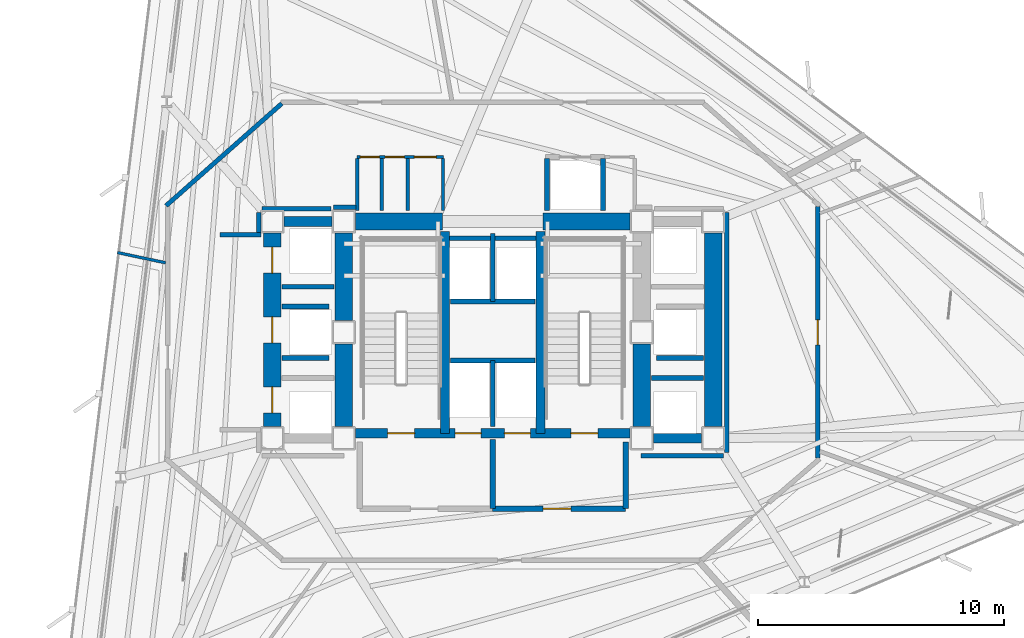
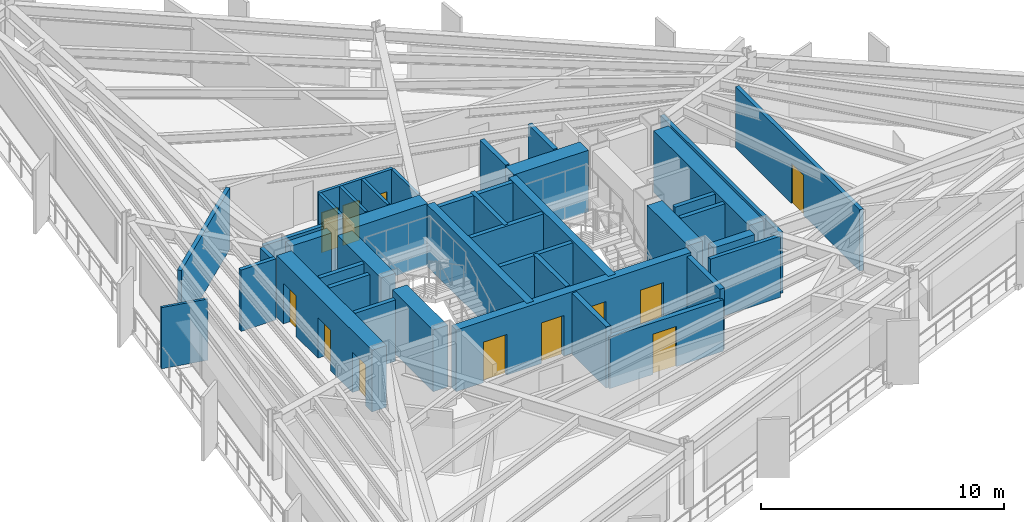
# One storey, part 7 of 13: 41 walls, 12 doors, 12 openings.
"""IFC4 building model written with IfcOpenShell, lengths in metres."""

from ifc_helpers import new_model, si_unit, direction, frame, frame_2d, origin, place, context, subcontext, project, spatial, rectangle, extrude, material, layer, layer_set, type_object, element, fill, save


model = new_model("IFC4")

# Units and contexts
model_context = context("Model", 3, precision=1e-05, world=origin(), true_north=direction((0.0, 1.0)))
body_context = subcontext(model_context, "Body", "Model", "MODEL_VIEW")
ifc_project = project(units=[si_unit("LENGTHUNIT", "METRE"), si_unit("AREAUNIT", "SQUARE_METRE"), si_unit("VOLUMEUNIT", "CUBIC_METRE"), si_unit("PLANEANGLEUNIT", "RADIAN"), si_unit("MASSUNIT", "GRAM", prefix="KILO")], contexts=[model_context])

# Site, building, storey
site_placement = place(None, origin())
site = spatial("IfcSite", under=ifc_project, at=site_placement, CompositionType="ELEMENT")
building_placement = place(site_placement, origin())
building = spatial("IfcBuilding", under=site, at=building_placement, Name="Rocaltana Carrier Exchange", CompositionType="ELEMENT")
storey_placement = place(building_placement, frame((0.0, 0.0, 69.760009765625)))
storey = spatial("IfcBuildingStorey", under=building, at=storey_placement, Name="L21", CompositionType="ELEMENT", Elevation=69.760009765625)

# Walls
ifc_material_1 = material(Name="Concrete C50/60", Category="concrete")
ifc_layer_1 = layer(ifc_material_1, 0.35009765625)
ifc_layer_set_1 = layer_set([ifc_layer_1], Name="Concrete C50/60")
wall_type_1 = type_object("IfcWallType", Name="Core Internal Shear Wall 350", PredefinedType="SHEAR", material=ifc_layer_set_1)
for number, where, z_axis, x_axis, name in (
    (1, (-1.93994140625, -4.10009765625, 0.0), (0.0, 0.0, 1.0), (0.0, 1.0, 0.0), "L21 Core Shear Wall CW-STW"),
    (2, (1.93994140625, -4.10009765625, 0.0), (0.0, 0.0, 1.0), (0.0, 1.0, 0.0), "L21 Core Shear Wall CW-STE"),
):
    element("IfcWall", number, at=place(storey_placement, frame(where, z_axis=z_axis, x_axis=x_axis)), inside=storey, type_object=wall_type_1, Name=name, PredefinedType="SHEAR", context=body_context, shape_type="SweptSolid", body=[
        extrude(rectangle(XDim=8.2001953125, YDim=0.35009765625, at=frame_2d((4.10009765625, 0.0))), origin(), (0.0, 0.0, 1.0), 3.097900390625),
    ])

# Wall, openings, doors
ifc_material_2 = material(Name="Concrete C50/60", Category="concrete")
ifc_layer_2 = layer(ifc_material_2, 0.39990234375)
ifc_layer_set_2 = layer_set([ifc_layer_2], Name="Concrete C50/60")
wall_type_2 = type_object("IfcWallType", Name="Core Internal Shear Wall 400", PredefinedType="SHEAR", material=ifc_layer_set_2)
wall_1_placement = place(storey_placement, frame((-5.574951171875, -4.10009765625, 0.0), z_axis=(0.0, 0.0, 1.0), x_axis=(1.0, 0.0, 0.0)))
wall_1 = element("IfcWall", 3, at=wall_1_placement, inside=storey, type_object=wall_type_2, Name="L21 Core Shear Wall CW-S", PredefinedType="SHEAR", context=body_context, shape_type="SweptSolid", body=[
    extrude(rectangle(XDim=11.14990234375, YDim=0.39990234375, at=frame_2d((5.574951171875, 0.0))), origin(), (0.0, 0.0, 1.0), 3.097900390625),
])
opening_1_placement = place(wall_1_placement, frame((1.304931640625, 0.0, 0.0)))
opening_1 = element("IfcOpeningElement", 4, at=opening_1_placement, cuts=wall_1, Name="Opening D-ST110", PredefinedType="OPENING", context=body_context, shape_type="SweptSolid", body=[
    extrude(rectangle(XDim=1.10009765625, YDim=2.0400390625, at=frame_2d((0.550048828125, 1.02001953125))), frame((0.0, 0.2099609375, 0.0), z_axis=(0.0, -1.0, 0.0), x_axis=(1.0, 0.0, 0.0)), (0.0, 0.0, 1.0), 0.419921875),
])
opening_2_placement = place(wall_1_placement, frame((8.7451171875, 0.0, 0.0)))
opening_2 = element("IfcOpeningElement", 5, at=opening_2_placement, cuts=wall_1, Name="Opening D-ST110", PredefinedType="OPENING", context=body_context, shape_type="SweptSolid", body=[
    extrude(rectangle(XDim=1.10009765625, YDim=2.0400390625, at=frame_2d((0.550048828125, 1.02001953125))), frame((0.0, 0.2099609375, 0.0), z_axis=(0.0, -1.0, 0.0), x_axis=(1.0, 0.0, 0.0)), (0.0, 0.0, 1.0), 0.419921875),
])
opening_3_placement = place(wall_1_placement, frame((4.044921875, 0.0, 0.0)))
opening_3 = element("IfcOpeningElement", 6, at=opening_3_placement, cuts=wall_1, Name="Opening LD-110", PredefinedType="OPENING", context=body_context, shape_type="SweptSolid", body=[
    extrude(rectangle(XDim=1.06005859375, YDim=2.0400390625, at=frame_2d((0.530029296875, 1.02001953125))), frame((0.0, 0.2099609375, 0.0), z_axis=(0.0, -1.0, 0.0), x_axis=(1.0, 0.0, 0.0)), (0.0, 0.0, 1.0), 0.419921875),
])
opening_4_placement = place(wall_1_placement, frame((6.044921875, 0.0, 0.0)))
opening_4 = element("IfcOpeningElement", 7, at=opening_4_placement, cuts=wall_1, Name="Opening LD-110", PredefinedType="OPENING", context=body_context, shape_type="SweptSolid", body=[
    extrude(rectangle(XDim=1.06005859375, YDim=2.0400390625, at=frame_2d((0.530029296875, 1.02001953125))), frame((0.0, 0.2099609375, 0.0), z_axis=(0.0, -1.0, 0.0), x_axis=(1.0, 0.0, 0.0)), (0.0, 0.0, 1.0), 0.419921875),
])
ifc_material_3 = material(Name="Hollow Metal Fire Door Assembly", Category="steel")
door_type_1 = type_object("IfcDoorType", Name="Exit Stair Fire Door 1100x2040 FD90S", OperationType="NOTDEFINED", PredefinedType="DOOR", material=ifc_material_3)
door_1_placement = place(opening_1_placement, origin())
door_1 = element("IfcDoor", 8, at=door_1_placement, inside=storey, type_object=door_type_1, Name="L21 Exit Stair ST1 Fire Door", OperationType="SINGLE_SWING_RIGHT", OverallHeight=2.0400390625, OverallWidth=1.10009765625, PredefinedType="DOOR", context=body_context, shape_type="SweptSolid", body=[
    extrude(rectangle(XDim=1.10009765625, YDim=2.0400390625, at=frame_2d((0.550048828125, 1.02001953125))), frame((0.0, 0.02490234375, 0.0), z_axis=(0.0, -1.0, 0.0), x_axis=(1.0, 0.0, 0.0)), (0.0, 0.0, 1.0), 0.050048828125),
])
fill(opening_1, door_1)
door_2_placement = place(opening_2_placement, origin())
door_2 = element("IfcDoor", 9, at=door_2_placement, inside=storey, type_object=door_type_1, Name="L21 Exit Stair ST2 Fire Door", OperationType="SINGLE_SWING_LEFT", OverallHeight=2.0400390625, OverallWidth=1.10009765625, PredefinedType="DOOR", context=body_context, shape_type="SweptSolid", body=[
    extrude(rectangle(XDim=1.10009765625, YDim=2.0400390625, at=frame_2d((0.550048828125, 1.02001953125))), frame((0.0, 0.02490234375, 0.0), z_axis=(0.0, -1.0, 0.0), x_axis=(1.0, 0.0, 0.0)), (0.0, 0.0, 1.0), 0.050048828125),
])
fill(opening_2, door_2)
ifc_material_4 = material(Name="Brushed Stainless Sliding Door Leaf", Category="steel")
door_type_2 = type_object("IfcDoorType", Name="Lift Landing Sliding Door 1060x2040", OperationType="NOTDEFINED", PredefinedType="DOOR", material=ifc_material_4)
door_3_placement = place(opening_3_placement, origin())
door_3 = element("IfcDoor", 10, at=door_3_placement, inside=storey, type_object=door_type_2, Name="L21 Firefighting Lift FFL1 Landing Door", OperationType="SLIDING_TO_LEFT", OverallHeight=2.0400390625, OverallWidth=1.06005859375, PredefinedType="DOOR", context=body_context, shape_type="SweptSolid", body=[
    extrude(rectangle(XDim=1.06005859375, YDim=2.0400390625, at=frame_2d((0.530029296875, 1.02001953125))), frame((0.0, 0.02490234375, 0.0), z_axis=(0.0, -1.0, 0.0), x_axis=(1.0, 0.0, 0.0)), (0.0, 0.0, 1.0), 0.050048828125),
])
fill(opening_3, door_3)
door_4_placement = place(opening_4_placement, origin())
door_4 = element("IfcDoor", 11, at=door_4_placement, inside=storey, type_object=door_type_2, Name="L21 Firefighting Lift FFL2 Landing Door", OperationType="SLIDING_TO_RIGHT", OverallHeight=2.0400390625, OverallWidth=1.06005859375, PredefinedType="DOOR", context=body_context, shape_type="SweptSolid", body=[
    extrude(rectangle(XDim=1.06005859375, YDim=2.0400390625, at=frame_2d((0.530029296875, 1.02001953125))), frame((0.0, 0.02490234375, 0.0), z_axis=(0.0, -1.0, 0.0), x_axis=(1.0, 0.0, 0.0)), (0.0, 0.0, 1.0), 0.050048828125),
])
fill(opening_4, door_4)

# Walls
for number, where, z_axis, x_axis, name in (
    (12, (-8.47509765625, 4.5, 0.0), (0.0, 0.0, 1.0), (1.0, 0.0, 0.0), "L21 Core Shear Wall CW-WWN"),
    (13, (6.52490234375, -4.300048828125, 0.0), (0.0, 0.0, 1.0), (1.0, 0.0, 0.0), "L21 Core Shear Wall CW-EWS"),
):
    element("IfcWall", number, at=place(storey_placement, frame(where, z_axis=z_axis, x_axis=x_axis)), inside=storey, type_object=wall_type_2, Name=name, PredefinedType="SHEAR", context=body_context, shape_type="SweptSolid", body=[
        extrude(rectangle(XDim=1.9501953125, YDim=0.39990234375, at=frame_2d((0.97509765625, 0.0))), origin(), (0.0, 0.0, 1.0), 3.097900390625),
    ])
ifc_material_5 = material(Name="Concrete C60/75", Category="concrete")
ifc_layer_3 = layer(ifc_material_5, 0.699951171875)
ifc_layer_set_3 = layer_set([ifc_layer_3], Name="Concrete C60/75")
wall_type_3 = type_object("IfcWallType", Name="Core Shear Wall 700", PredefinedType="SHEAR", material=ifc_layer_set_3)
wall_2_placement = place(storey_placement, frame((-6.050048828125, 0.47509765625, 0.0), z_axis=(0.0, 0.0, 1.0), x_axis=(0.0, 1.0, 0.0)))
element("IfcWall", 14, at=wall_2_placement, inside=storey, type_object=wall_type_3, Name="L21 Core Shear Wall CW-WN", PredefinedType="SHEAR", context=body_context, shape_type="SweptSolid", body=[
    extrude(rectangle(XDim=3.5498046875, YDim=0.699951171875, at=frame_2d((1.77490234375, 0.0))), origin(), (0.0, 0.0, 1.0), 3.097900390625),
])
for number, where, z_axis, x_axis, name in (
    (15, (-6.050048828125, -3.824951171875, 0.0), (0.0, 0.0, 1.0), (0.0, 1.0, 0.0), "L21 Core Shear Wall CW-WS"),
    (16, (6.050048828125, -3.824951171875, 0.0), (0.0, 0.0, 1.0), (0.0, 1.0, 0.0), "L21 Core Shear Wall CW-ES"),
):
    element("IfcWall", number, at=place(storey_placement, frame(where, z_axis=z_axis, x_axis=x_axis)), inside=storey, type_object=wall_type_3, Name=name, PredefinedType="SHEAR", context=body_context, shape_type="SweptSolid", body=[
        extrude(rectangle(XDim=3.349853515625, YDim=0.699951171875, at=frame_2d((1.6748046875, 0.0))), origin(), (0.0, 0.0, 1.0), 3.097900390625),
    ])
for number, where, z_axis, x_axis, name in (
    (17, (-5.574951171875, 4.5, 0.0), (0.0, 0.0, 1.0), (1.0, 0.0, 0.0), "L21 Core Shear Wall CW-N1"),
    (18, (2.050048828125, 4.5, 0.0), (0.0, 0.0, 1.0), (1.0, 0.0, 0.0), "L21 Core Shear Wall CW-N2"),
):
    element("IfcWall", number, at=place(storey_placement, frame(where, z_axis=z_axis, x_axis=x_axis)), inside=storey, type_object=wall_type_3, Name=name, PredefinedType="SHEAR", context=body_context, shape_type="SweptSolid", body=[
        extrude(rectangle(XDim=3.52490234375, YDim=0.699951171875, at=frame_2d((1.762451171875, 0.0))), origin(), (0.0, 0.0, 1.0), 3.097900390625),
    ])

# Wall, openings, doors
wall_3_placement = place(storey_placement, frame((-8.949951171875, -3.824951171875, 0.0), z_axis=(0.0, 0.0, 1.0), x_axis=(0.0, 1.0, 0.0)))
wall_3 = element("IfcWall", 19, at=wall_3_placement, inside=storey, type_object=wall_type_3, Name="L21 Core Shear Wall CW-WW", PredefinedType="SHEAR", context=body_context, shape_type="SweptSolid", body=[
    extrude(rectangle(XDim=7.849853515625, YDim=0.699951171875, at=frame_2d((3.9248046875, 0.0))), origin(), (0.0, 0.0, 1.0), 3.097900390625),
])
opening_5_placement = place(wall_3_placement, frame((0.550048828125, 0.0, 0.0)))
opening_5 = element("IfcOpeningElement", 20, at=opening_5_placement, cuts=wall_3, Name="Opening LD-110", PredefinedType="OPENING", context=body_context, shape_type="SweptSolid", body=[
    extrude(rectangle(XDim=1.06005859375, YDim=2.0400390625, at=frame_2d((0.530029296875, 1.02001953125))), frame((0.0, 0.35986328125, 0.0), z_axis=(0.0, -1.0, 0.0), x_axis=(1.0, 0.0, 0.0)), (0.0, 0.0, 1.0), 0.719970703125),
])
opening_6_placement = place(wall_3_placement, frame((3.39501953125, 0.0, 0.0)))
opening_6 = element("IfcOpeningElement", 21, at=opening_6_placement, cuts=wall_3, Name="Opening LD-110", PredefinedType="OPENING", context=body_context, shape_type="SweptSolid", body=[
    extrude(rectangle(XDim=1.06005859375, YDim=2.0400390625, at=frame_2d((0.530029296875, 1.02001953125))), frame((0.0, 0.35986328125, 0.0), z_axis=(0.0, -1.0, 0.0), x_axis=(1.0, 0.0, 0.0)), (0.0, 0.0, 1.0), 0.719970703125),
])
opening_7_placement = place(wall_3_placement, frame((6.22998046875, 0.0, 0.0)))
opening_7 = element("IfcOpeningElement", 22, at=opening_7_placement, cuts=wall_3, Name="Opening LD-110", PredefinedType="OPENING", context=body_context, shape_type="SweptSolid", body=[
    extrude(rectangle(XDim=1.06005859375, YDim=2.0400390625, at=frame_2d((0.530029296875, 1.02001953125))), frame((0.0, 0.35986328125, 0.0), z_axis=(0.0, -1.0, 0.0), x_axis=(1.0, 0.0, 0.0)), (0.0, 0.0, 1.0), 0.719970703125),
])
door_5_placement = place(opening_5_placement, origin())
door_5 = element("IfcDoor", 23, at=door_5_placement, inside=storey, type_object=door_type_2, Name="L21 Low-Rise Lift PL-L1 Landing Door", OperationType="SLIDING_TO_LEFT", OverallHeight=2.0400390625, OverallWidth=1.06005859375, PredefinedType="DOOR", context=body_context, shape_type="SweptSolid", body=[
    extrude(rectangle(XDim=1.06005859375, YDim=2.0400390625, at=frame_2d((0.530029296875, 1.02001953125))), frame((0.0, 0.02490234375, 0.0), z_axis=(0.0, -1.0, 0.0), x_axis=(1.0, 0.0, 0.0)), (0.0, 0.0, 1.0), 0.050048828125),
])
fill(opening_5, door_5)
door_6_placement = place(opening_6_placement, origin())
door_6 = element("IfcDoor", 24, at=door_6_placement, inside=storey, type_object=door_type_2, Name="L21 Low-Rise Lift PL-L2 Landing Door", OperationType="SLIDING_TO_RIGHT", OverallHeight=2.0400390625, OverallWidth=1.06005859375, PredefinedType="DOOR", context=body_context, shape_type="SweptSolid", body=[
    extrude(rectangle(XDim=1.06005859375, YDim=2.0400390625, at=frame_2d((0.530029296875, 1.02001953125))), frame((0.0, 0.02490234375, 0.0), z_axis=(0.0, -1.0, 0.0), x_axis=(1.0, 0.0, 0.0)), (0.0, 0.0, 1.0), 0.050048828125),
])
fill(opening_6, door_6)
door_7_placement = place(opening_7_placement, origin())
door_7 = element("IfcDoor", 25, at=door_7_placement, inside=storey, type_object=door_type_2, Name="L21 Low-Rise Lift PL-L3 Landing Door", OperationType="SLIDING_TO_LEFT", OverallHeight=2.0400390625, OverallWidth=1.06005859375, PredefinedType="DOOR", context=body_context, shape_type="SweptSolid", body=[
    extrude(rectangle(XDim=1.06005859375, YDim=2.0400390625, at=frame_2d((0.530029296875, 1.02001953125))), frame((0.0, 0.02490234375, 0.0), z_axis=(0.0, -1.0, 0.0), x_axis=(1.0, 0.0, 0.0)), (0.0, 0.0, 1.0), 0.050048828125),
])
fill(opening_7, door_7)

# Wall
wall_4_placement = place(storey_placement, frame((8.949951171875, -3.824951171875, 0.0), z_axis=(0.0, 0.0, 1.0), x_axis=(0.0, 1.0, 0.0)))
element("IfcWall", 26, at=wall_4_placement, inside=storey, type_object=wall_type_3, Name="L21 Core Shear Wall CW-EW", PredefinedType="SHEAR", context=body_context, shape_type="SweptSolid", body=[
    extrude(rectangle(XDim=7.849853515625, YDim=0.699951171875, at=frame_2d((3.9248046875, 0.0))), origin(), (0.0, 0.0, 1.0), 3.097900390625),
])

# Wall, opening, door
ifc_material_6 = material(Name="Gypsum & Steel Stud Partition", Category="steel")
ifc_layer_4 = layer(ifc_material_6, 0.179931640625)
ifc_layer_set_4 = layer_set([ifc_layer_4], Name="Gypsum & Steel Stud Partition")
wall_type_4 = type_object("IfcWallType", Name="Corridor Fire Partition 180 EI60", PredefinedType="PARTITIONING", material=ifc_layer_set_4)
wall_5_placement = place(storey_placement, frame((13.199951171875, 5.110107421875, 0.0), z_axis=(0.0, 0.0, 1.0), x_axis=(0.0, -1.0, 0.0)))
wall_5 = element("IfcWall", 27, at=wall_5_placement, inside=storey, type_object=wall_type_4, Name="L21 Corridor Partition 3", PredefinedType="PARTITIONING", context=body_context, shape_type="SweptSolid", body=[
    extrude(rectangle(XDim=10.22021484375, YDim=0.179931640625, at=frame_2d((5.110107421875, 0.0))), origin(), (0.0, 0.0, 1.0), 3.072998046875),
])
opening_8_placement = place(wall_5_placement, frame((4.60009765625, 0.0, 0.0)))
opening_8 = element("IfcOpeningElement", 28, at=opening_8_placement, cuts=wall_5, Name="Opening D-LB104", PredefinedType="OPENING", context=body_context, shape_type="SweptSolid", body=[
    extrude(rectangle(XDim=1.02001953125, YDim=2.02001953125, at=frame_2d((0.510009765625, 1.010009765625))), frame((0.0, 0.099853515625, 0.0), z_axis=(0.0, -1.0, 0.0), x_axis=(1.0, 0.0, 0.0)), (0.0, 0.0, 1.0), 0.199951171875),
])
ifc_material_7 = material(Name="Powder-Coated Aluminium 6063-T6", Category="aluminium")
door_type_3 = type_object("IfcDoorType", Name="Laboratory Acoustic Door 1020x2020", OperationType="NOTDEFINED", PredefinedType="DOOR", material=ifc_material_7)
door_8_placement = place(opening_8_placement, origin())
door_8 = element("IfcDoor", 29, at=door_8_placement, inside=storey, type_object=door_type_3, Name="L21 Optical Switching Laboratory Entrance Door", OperationType="SINGLE_SWING_LEFT", OverallHeight=2.02001953125, OverallWidth=1.02001953125, PredefinedType="DOOR", context=body_context, shape_type="SweptSolid", body=[
    extrude(rectangle(XDim=1.02001953125, YDim=2.02001953125, at=frame_2d((0.510009765625, 1.010009765625))), frame((0.0, 0.02490234375, 0.0), z_axis=(0.0, -1.0, 0.0), x_axis=(1.0, 0.0, 0.0)), (0.0, 0.0, 1.0), 0.050048828125),
])
fill(opening_8, door_8)

# Walls
wall_6_placement = place(storey_placement, frame((-13.267578125, 5.140380859375, 0.0), z_axis=(0.0, 0.0, 1.0), x_axis=(0.749626463267, 0.66186113768, 0.0)))
element("IfcWall", 30, at=wall_6_placement, inside=storey, type_object=wall_type_4, Name="L21 Corridor Partition 8", PredefinedType="PARTITIONING", context=body_context, shape_type="SweptSolid", body=[
    extrude(rectangle(XDim=6.27001953125, YDim=0.179931640625, at=frame_2d((3.135009765625, 0.0))), origin(), (0.0, 0.0, 1.0), 3.072998046875),
])
wall_7_placement = place(storey_placement, frame((-9.510009765625, 4.8701171875, 0.0), z_axis=(0.0, 0.0, 1.0), x_axis=(0.0, -1.0, 0.0)))
element("IfcWall", 31, at=wall_7_placement, inside=storey, type_object=wall_type_4, Name="L21 Corridor Partition 9", PredefinedType="PARTITIONING", context=body_context, shape_type="SweptSolid", body=[
    extrude(rectangle(XDim=0.820068359375, YDim=0.179931640625, at=frame_2d((0.41015625, 0.0))), origin(), (0.0, 0.0, 1.0), 3.072998046875),
])
wall_8_placement = place(storey_placement, frame((-9.419921875, 3.9599609375, 0.0), z_axis=(0.0, 0.0, 1.0), x_axis=(-1.0, 0.0, 0.0)))
element("IfcWall", 32, at=wall_8_placement, inside=storey, type_object=wall_type_4, Name="L21 Corridor Partition 10", PredefinedType="PARTITIONING", context=body_context, shape_type="SweptSolid", body=[
    extrude(rectangle(XDim=1.650146484375, YDim=0.179931640625, at=frame_2d((0.8251953125, 0.0))), origin(), (0.0, 0.0, 1.0), 3.072998046875),
])
wall_9_placement = place(storey_placement, frame((6.030029296875, -5.010009765625, 0.0), z_axis=(0.0, 0.0, 1.0), x_axis=(1.0, 0.0, 0.0)))
element("IfcWall", 33, at=wall_9_placement, inside=storey, type_object=wall_type_4, Name="L21 Corridor Partition 16", PredefinedType="PARTITIONING", context=body_context, shape_type="SweptSolid", body=[
    extrude(rectangle(XDim=3.340087890625, YDim=0.179931640625, at=frame_2d((1.669921875, 0.0))), origin(), (0.0, 0.0, 1.0), 3.072998046875),
])
wall_10_placement = place(storey_placement, frame((9.510009765625, -4.8701171875, 0.0), z_axis=(0.0, 0.0, 1.0), x_axis=(0.0, 1.0, 0.0)))
element("IfcWall", 34, at=wall_10_placement, inside=storey, type_object=wall_type_4, Name="L21 Corridor Partition 17", PredefinedType="PARTITIONING", context=body_context, shape_type="SweptSolid", body=[
    extrude(rectangle(XDim=9.740234375, YDim=0.179931640625, at=frame_2d((4.8701171875, 0.0))), origin(), (0.0, 0.0, 1.0), 3.072998046875),
])
wall_11_placement = place(storey_placement, frame((-5.550048828125, 5.080078125, 0.0), z_axis=(0.0, 0.0, 1.0), x_axis=(-1.0, 0.0, 0.0)))
element("IfcWall", 35, at=wall_11_placement, inside=storey, type_object=wall_type_4, Name="L21 Corridor Partition 22", PredefinedType="PARTITIONING", context=body_context, shape_type="SweptSolid", body=[
    extrude(rectangle(XDim=0.919921875, YDim=0.179931640625, at=frame_2d((0.4599609375, 0.0))), origin(), (0.0, 0.0, 1.0), 3.072998046875),
])
wall_12_placement = place(storey_placement, frame((-6.562255859375, 5.010009765625, 0.0), z_axis=(0.0, 0.0, 1.0), x_axis=(-1.0, 0.0, 0.0)))
element("IfcWall", 36, at=wall_12_placement, inside=storey, type_object=wall_type_4, Name="L21 Corridor Partition 23", PredefinedType="PARTITIONING", context=body_context, shape_type="SweptSolid", body=[
    extrude(rectangle(XDim=2.807861328125, YDim=0.179931640625, at=frame_2d((1.40380859375, 0.0))), origin(), (0.0, 0.0, 1.0), 3.072998046875),
])
ifc_material_8 = material(Name="Aluminium 6063-T6 & Acoustic Glass", Category="aluminium")
ifc_layer_5 = layer(ifc_material_8, 0.114990234375)
ifc_layer_set_5 = layer_set([ifc_layer_5], Name="Aluminium 6063-T6 & Acoustic Glass")
wall_type_5 = type_object("IfcWallType", Name="Demountable Glazed Lab Partition 115", PredefinedType="MOVABLE", material=ifc_layer_set_5)
wall_13_placement = place(storey_placement, frame((-13.280029296875, 2.82275390625, 0.0), z_axis=(0.0, 0.0, 1.0), x_axis=(-0.978147079353, 0.207914143705, 0.0)))
element("IfcWall", 37, at=wall_13_placement, inside=storey, type_object=wall_type_5, Name="L21 Suite Divider Wall D7", PredefinedType="MOVABLE", context=body_context, shape_type="SweptSolid", body=[
    extrude(rectangle(XDim=2.003173828125, YDim=0.114990234375, at=frame_2d((1.00146484375, 0.0))), origin(), (0.0, 0.0, 1.0), 3.072998046875),
])
ifc_material_9 = material(Name="Autoclaved Aerated Concrete C30/37", Category="concrete")
ifc_layer_6 = layer(ifc_material_9, 0.219970703125)
ifc_layer_set_6 = layer_set([ifc_layer_6], Name="Autoclaved Aerated Concrete C30/37")
wall_type_6 = type_object("IfcWallType", Name="Firefighting Lobby Wall 220 EI120", PredefinedType="PARTITIONING", material=ifc_layer_set_6)
wall_14_placement = place(storey_placement, frame((5.39990234375, -7.159912109375, 0.0), z_axis=(0.0, 0.0, 1.0), x_axis=(0.0, 1.0, 0.0)))
element("IfcWall", 38, at=wall_14_placement, inside=storey, type_object=wall_type_6, Name="L21 FFL Lobby 2 East Wall", PredefinedType="PARTITIONING", context=body_context, shape_type="SweptSolid", body=[
    extrude(rectangle(XDim=2.7099609375, YDim=0.219970703125, at=frame_2d((1.35498046875, 0.0))), origin(), (0.0, 0.0, 1.0), 3.072998046875),
])
wall_15_placement = place(storey_placement, frame((0.0, -7.159912109375, 0.0), z_axis=(0.0, 0.0, 1.0), x_axis=(0.0, 1.0, 0.0)))
element("IfcWall", 39, at=wall_15_placement, inside=storey, type_object=wall_type_6, Name="L21 FFL Lobby Centre Wall", PredefinedType="PARTITIONING", context=body_context, shape_type="SweptSolid", body=[
    extrude(rectangle(XDim=2.809814453125, YDim=0.219970703125, at=frame_2d((1.40478515625, 0.0))), origin(), (0.0, 0.0, 1.0), 3.072998046875),
])

# Wall, opening, door
wall_16_placement = place(storey_placement, frame((0.0, -7.159912109375, 0.0), z_axis=(0.0, 0.0, 1.0), x_axis=(1.0, 0.0, 0.0)))
wall_16 = element("IfcWall", 40, at=wall_16_placement, inside=storey, type_object=wall_type_6, Name="L21 FFL Lobby 2 South Wall", PredefinedType="PARTITIONING", context=body_context, shape_type="SweptSolid", body=[
    extrude(rectangle(XDim=5.39990234375, YDim=0.219970703125, at=frame_2d((2.699951171875, 0.0))), origin(), (0.0, 0.0, 1.0), 2.5869140625),
])
opening_9_placement = place(wall_16_placement, frame((2.050048828125, 0.0, 0.0)))
opening_9 = element("IfcOpeningElement", 41, at=opening_9_placement, cuts=wall_16, Name="Opening D-FF115", PredefinedType="OPENING", context=body_context, shape_type="SweptSolid", body=[
    extrude(rectangle(XDim=1.1201171875, YDim=2.02001953125, at=frame_2d((0.56005859375, 1.010009765625))), frame((0.0, 0.119873046875, 0.0), z_axis=(0.0, -1.0, 0.0), x_axis=(1.0, 0.0, 0.0)), (0.0, 0.0, 1.0), 0.239990234375),
])
ifc_material_10 = material(Name="Hollow Metal Fire Door Assembly", Category="steel")
door_type_4 = type_object("IfcDoorType", Name="Firefighting Lobby Door 1120x2020 FD60S", OperationType="NOTDEFINED", PredefinedType="DOOR", material=ifc_material_10)
door_9_placement = place(opening_9_placement, origin())
door_9 = element("IfcDoor", 42, at=door_9_placement, inside=storey, type_object=door_type_4, Name="L21 Firefighting Lift Lobby 2 Door", OperationType="SINGLE_SWING_LEFT", OverallHeight=2.02001953125, OverallWidth=1.1201171875, PredefinedType="DOOR", context=body_context, shape_type="SweptSolid", body=[
    extrude(rectangle(XDim=1.1201171875, YDim=2.02001953125, at=frame_2d((0.56005859375, 1.010009765625))), frame((0.0, 0.02490234375, 0.0), z_axis=(0.0, -1.0, 0.0), x_axis=(1.0, 0.0, 0.0)), (0.0, 0.0, 1.0), 0.050048828125),
])
fill(opening_9, door_9)

# Walls
ifc_material_11 = material(Name="Reinforced Concrete Block C35/45", Category="concrete")
ifc_layer_7 = layer(ifc_material_11, 0.199951171875)
ifc_layer_set_7 = layer_set([ifc_layer_7], Name="Reinforced Concrete Block C35/45")
wall_type_7 = type_object("IfcWallType", Name="Lift Hoistway Enclosure Wall 200 EI120", PredefinedType="PARTITIONING", material=ifc_layer_set_7)
wall_17_placement = place(storey_placement, frame((0.0, -3.820068359375, 0.0), z_axis=(0.0, 0.0, 1.0), x_axis=(0.0, 1.0, 0.0)))
element("IfcWall", 43, at=wall_17_placement, inside=storey, type_object=wall_type_7, Name="L21 FFL Shaft Divider", PredefinedType="PARTITIONING", context=body_context, shape_type="SweptSolid", body=[
    extrude(rectangle(XDim=2.670166015625, YDim=0.199951171875, at=frame_2d((1.3349609375, 0.0))), origin(), (0.0, 0.0, 1.0), 3.072998046875),
])
wall_18_placement = place(storey_placement, frame((-1.719970703125, -1.14990234375, 0.0), z_axis=(0.0, 0.0, 1.0), x_axis=(1.0, 0.0, 0.0)))
element("IfcWall", 44, at=wall_18_placement, inside=storey, type_object=wall_type_7, Name="L21 FFL Shaft Back Wall", PredefinedType="PARTITIONING", context=body_context, shape_type="SweptSolid", body=[
    extrude(rectangle(XDim=3.43994140625, YDim=0.199951171875, at=frame_2d((1.719970703125, 0.0))), origin(), (0.0, 0.0, 1.0), 3.072998046875),
])
wall_19_placement = place(storey_placement, frame((0.0, 1.25, 0.0), z_axis=(0.0, 0.0, 1.0), x_axis=(0.0, 1.0, 0.0)))
element("IfcWall", 45, at=wall_19_placement, inside=storey, type_object=wall_type_7, Name="L21 High-Rise Shaft Divider", PredefinedType="PARTITIONING", context=body_context, shape_type="SweptSolid", body=[
    extrude(rectangle(XDim=2.77001953125, YDim=0.199951171875, at=frame_2d((1.385009765625, 0.0))), origin(), (0.0, 0.0, 1.0), 3.072998046875),
])
wall_20_placement = place(storey_placement, frame((-1.719970703125, 1.25, 0.0), z_axis=(0.0, 0.0, 1.0), x_axis=(1.0, 0.0, 0.0)))
element("IfcWall", 46, at=wall_20_placement, inside=storey, type_object=wall_type_7, Name="L21 High-Rise Shaft Back Wall", PredefinedType="PARTITIONING", context=body_context, shape_type="SweptSolid", body=[
    extrude(rectangle(XDim=3.43994140625, YDim=0.199951171875, at=frame_2d((1.719970703125, 0.0))), origin(), (0.0, 0.0, 1.0), 3.072998046875),
])
wall_21_placement = place(storey_placement, frame((-1.760009765625, 3.820068359375, 0.0), z_axis=(0.0, 0.0, 1.0), x_axis=(1.0, 0.0, 0.0)))
element("IfcWall", 47, at=wall_21_placement, inside=storey, type_object=wall_type_7, Name="L21 High-Rise Lift Front Wall", PredefinedType="PARTITIONING", context=body_context, shape_type="SweptSolid", body=[
    extrude(rectangle(XDim=3.52001953125, YDim=0.199951171875, at=frame_2d((1.760009765625, 0.0))), origin(), (0.0, 0.0, 1.0), 3.072998046875),
])
for number, where, z_axis, x_axis, name in (
    (48, (2.199951171875, 4.949951171875, 0.0), (0.0, 0.0, 1.0), (0.0, 1.0, 0.0), "L21 Goods Lift West Wall"),
    (49, (4.47998046875, 4.949951171875, 0.0), (0.0, 0.0, 1.0), (0.0, 1.0, 0.0), "L21 Goods Lift East Wall"),
    (50, (-8.550048828125, 1.85009765625, 0.0), (0.0, 0.0, 1.0), (1.0, 0.0, 0.0), "L21 Low-Rise Shaft Divider 2"),
):
    element("IfcWall", number, at=place(storey_placement, frame(where, z_axis=z_axis, x_axis=x_axis)), inside=storey, type_object=wall_type_7, Name=name, PredefinedType="PARTITIONING", context=body_context, shape_type="SweptSolid", body=[
        extrude(rectangle(XDim=2.10009765625, YDim=0.199951171875, at=frame_2d((1.050048828125, 0.0))), origin(), (0.0, 0.0, 1.0), 3.072998046875),
    ])
for number, where, z_axis, x_axis, name in (
    (51, (-8.550048828125, -1.050048828125, 0.0), (0.0, 0.0, 1.0), (1.0, 0.0, 0.0), "L21 Low-Rise Center Shaft Wall South"),
    (52, (-8.550048828125, 1.050048828125, 0.0), (0.0, 0.0, 1.0), (1.0, 0.0, 0.0), "L21 Low-Rise Center Shaft Wall North"),
):
    element("IfcWall", number, at=place(storey_placement, frame(where, z_axis=z_axis, x_axis=x_axis)), inside=storey, type_object=wall_type_7, Name=name, PredefinedType="PARTITIONING", context=body_context, shape_type="SweptSolid", body=[
        extrude(rectangle(XDim=1.91015625, YDim=0.199951171875, at=frame_2d((0.955078125, 0.0))), origin(), (0.0, 0.0, 1.0), 3.072998046875),
    ])
wall_22_placement = place(storey_placement, frame((6.449951171875, -1.85009765625, 0.0), z_axis=(0.0, 0.0, 1.0), x_axis=(1.0, 0.0, 0.0)))
element("IfcWall", 53, at=wall_22_placement, inside=storey, type_object=wall_type_7, Name="L21 Mid-Rise Shaft Divider 1", PredefinedType="PARTITIONING", context=body_context, shape_type="SweptSolid", body=[
    extrude(rectangle(XDim=2.10009765625, YDim=0.199951171875, at=frame_2d((1.050048828125, 0.0))), origin(), (0.0, 0.0, 1.0), 3.072998046875),
])
wall_23_placement = place(storey_placement, frame((6.639892578125, -1.050048828125, 0.0), z_axis=(0.0, 0.0, 1.0), x_axis=(1.0, 0.0, 0.0)))
element("IfcWall", 54, at=wall_23_placement, inside=storey, type_object=wall_type_7, Name="L21 Mid-Rise Center Shaft Wall South", PredefinedType="PARTITIONING", context=body_context, shape_type="SweptSolid", body=[
    extrude(rectangle(XDim=1.91015625, YDim=0.199951171875, at=frame_2d((0.955078125, 0.0))), origin(), (0.0, 0.0, 1.0), 3.072998046875),
])
ifc_material_12 = material(Name="Moisture-Resistant Masonry C30/37", Category="masonry")
ifc_layer_8 = layer(ifc_material_12, 0.139892578125)
ifc_layer_set_8 = layer_set([ifc_layer_8], Name="Moisture-Resistant Masonry C30/37")
wall_type_8 = type_object("IfcWallType", Name="Wet-Area Sanitary Partition 140", PredefinedType="PARTITIONING", material=ifc_layer_set_8)
for number, where, z_axis, x_axis, name in (
    (55, (-5.5, 4.949951171875, 0.0), (0.0, 0.0, 1.0), (0.0, 1.0, 0.0), "L21 Sanitary West Wall"),
    (56, (-4.5, 4.949951171875, 0.0), (0.0, 0.0, 1.0), (0.0, 1.0, 0.0), "L21 Sanitary Divider 1"),
    (57, (-3.449951171875, 4.949951171875, 0.0), (0.0, 0.0, 1.0), (0.0, 1.0, 0.0), "L21 Sanitary Divider 2"),
    (58, (-2.02001953125, 4.949951171875, 0.0), (0.0, 0.0, 1.0), (0.0, 1.0, 0.0), "L21 Sanitary East Wall"),
):
    element("IfcWall", number, at=place(storey_placement, frame(where, z_axis=z_axis, x_axis=x_axis)), inside=storey, type_object=wall_type_8, Name=name, PredefinedType="PARTITIONING", context=body_context, shape_type="SweptSolid", body=[
        extrude(rectangle(XDim=2.10009765625, YDim=0.139892578125, at=frame_2d((1.050048828125, 0.0))), origin(), (0.0, 0.0, 1.0), 3.072998046875),
    ])

# Wall, openings, doors
wall_24_placement = place(storey_placement, frame((-5.52001953125, 7.1201171875, 0.0), z_axis=(0.0, 0.0, 1.0), x_axis=(1.0, 0.0, 0.0)))
wall_24 = element("IfcWall", 59, at=wall_24_placement, inside=storey, type_object=wall_type_8, Name="L21 Sanitary North Wall", PredefinedType="PARTITIONING", context=body_context, shape_type="SweptSolid", body=[
    extrude(rectangle(XDim=3.52001953125, YDim=0.139892578125, at=frame_2d((1.760009765625, 0.0))), origin(), (0.0, 0.0, 1.0), 3.072998046875),
])
opening_10_placement = place(wall_24_placement, frame((0.139892578125, 0.0, 0.0)))
opening_10 = element("IfcOpeningElement", 60, at=opening_10_placement, cuts=wall_24, Name="Opening D-RS082", PredefinedType="OPENING", context=body_context, shape_type="SweptSolid", body=[
    extrude(rectangle(XDim=0.780029296875, YDim=2.010009765625, at=frame_2d((0.39013671875, 1.0048828125))), frame((0.0, 0.079833984375, 0.0), z_axis=(0.0, -1.0, 0.0), x_axis=(1.0, 0.0, 0.0)), (0.0, 0.0, 1.0), 0.159912109375),
])
opening_11_placement = place(wall_24_placement, frame((1.14990234375, 0.0, 0.0)))
opening_11 = element("IfcOpeningElement", 61, at=opening_11_placement, cuts=wall_24, Name="Opening D-RS082", PredefinedType="OPENING", context=body_context, shape_type="SweptSolid", body=[
    extrude(rectangle(XDim=0.780029296875, YDim=2.010009765625, at=frame_2d((0.39013671875, 1.0048828125))), frame((0.0, 0.079833984375, 0.0), z_axis=(0.0, -1.0, 0.0), x_axis=(1.0, 0.0, 0.0)), (0.0, 0.0, 1.0), 0.159912109375),
])
opening_12_placement = place(wall_24_placement, frame((2.340087890625, 0.0, 0.0)))
opening_12 = element("IfcOpeningElement", 62, at=opening_12_placement, cuts=wall_24, Name="Opening D-WC090", PredefinedType="OPENING", context=body_context, shape_type="SweptSolid", body=[
    extrude(rectangle(XDim=0.8798828125, YDim=2.02001953125, at=frame_2d((0.43994140625, 1.010009765625))), frame((0.0, 0.079833984375, 0.0), z_axis=(0.0, -1.0, 0.0), x_axis=(1.0, 0.0, 0.0)), (0.0, 0.0, 1.0), 0.159912109375),
])
ifc_material_13 = material(Name="High-Pressure Laminate Timber", Category="wood")
door_type_5 = type_object("IfcDoorType", Name="Restroom & Accessible WC Door 880x2020", OperationType="NOTDEFINED", PredefinedType="DOOR", material=ifc_material_13)
door_10_placement = place(opening_12_placement, origin())
door_10 = element("IfcDoor", 63, at=door_10_placement, inside=storey, type_object=door_type_5, Name="L21 Accessible Toilet Door", OperationType="SINGLE_SWING_RIGHT", OverallHeight=2.02001953125, OverallWidth=0.8798828125, PredefinedType="DOOR", context=body_context, shape_type="SweptSolid", body=[
    extrude(rectangle(XDim=0.8798828125, YDim=2.02001953125, at=frame_2d((0.43994140625, 1.010009765625))), frame((0.0, 0.02490234375, 0.0), z_axis=(0.0, -1.0, 0.0), x_axis=(1.0, 0.0, 0.0)), (0.0, 0.0, 1.0), 0.050048828125),
])
fill(opening_12, door_10)
ifc_material_14 = material(Name="Hollow Metal Access Door Leaf", Category="steel")
door_type_6 = type_object("IfcDoorType", Name="Riser & Service Closet Door 780x2010", OperationType="NOTDEFINED", PredefinedType="DOOR", material=ifc_material_14)
door_11_placement = place(opening_10_placement, origin())
door_11 = element("IfcDoor", 64, at=door_11_placement, inside=storey, type_object=door_type_6, Name="L21 Cleaner Store Door", OperationType="SINGLE_SWING_RIGHT", OverallHeight=2.010009765625, OverallWidth=0.780029296875, PredefinedType="DOOR", context=body_context, shape_type="SweptSolid", body=[
    extrude(rectangle(XDim=0.780029296875, YDim=2.010009765625, at=frame_2d((0.39013671875, 1.0048828125))), frame((0.0, 0.02490234375, 0.0), z_axis=(0.0, -1.0, 0.0), x_axis=(1.0, 0.0, 0.0)), (0.0, 0.0, 1.0), 0.050048828125),
])
fill(opening_10, door_11)
door_12_placement = place(opening_11_placement, origin())
door_12 = element("IfcDoor", 65, at=door_12_placement, inside=storey, type_object=door_type_6, Name="L21 Staff Restroom Door", OperationType="SINGLE_SWING_LEFT", OverallHeight=2.010009765625, OverallWidth=0.780029296875, PredefinedType="DOOR", context=body_context, shape_type="SweptSolid", body=[
    extrude(rectangle(XDim=0.780029296875, YDim=2.010009765625, at=frame_2d((0.39013671875, 1.0048828125))), frame((0.0, 0.02490234375, 0.0), z_axis=(0.0, -1.0, 0.0), x_axis=(1.0, 0.0, 0.0)), (0.0, 0.0, 1.0), 0.050048828125),
])
fill(opening_11, door_12)

save(model, "model.ifc")
